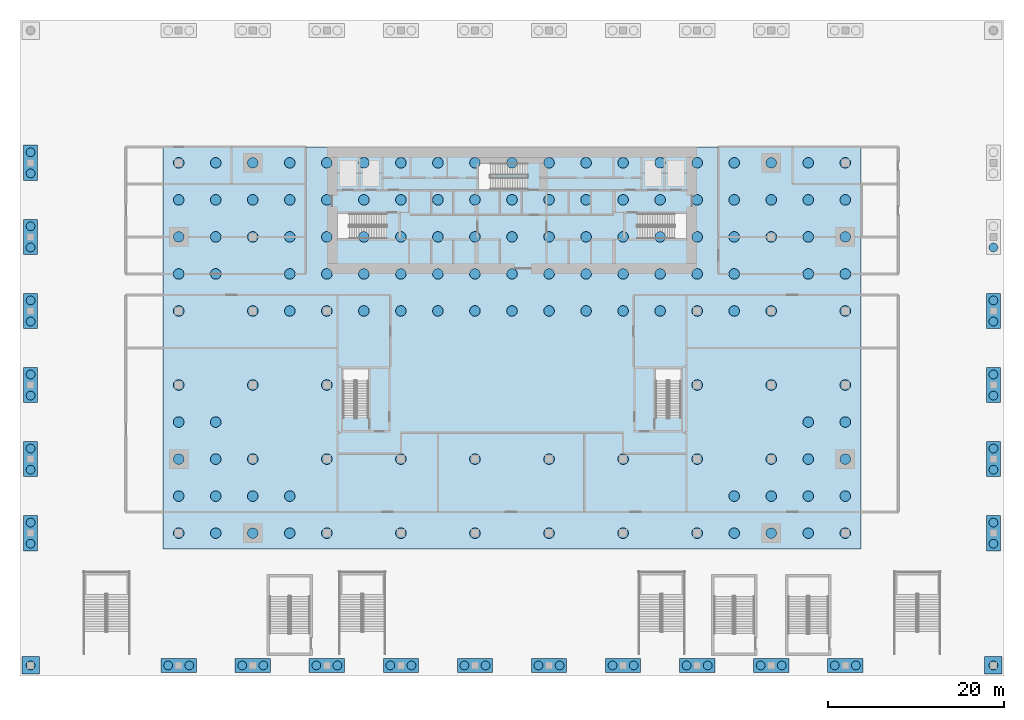
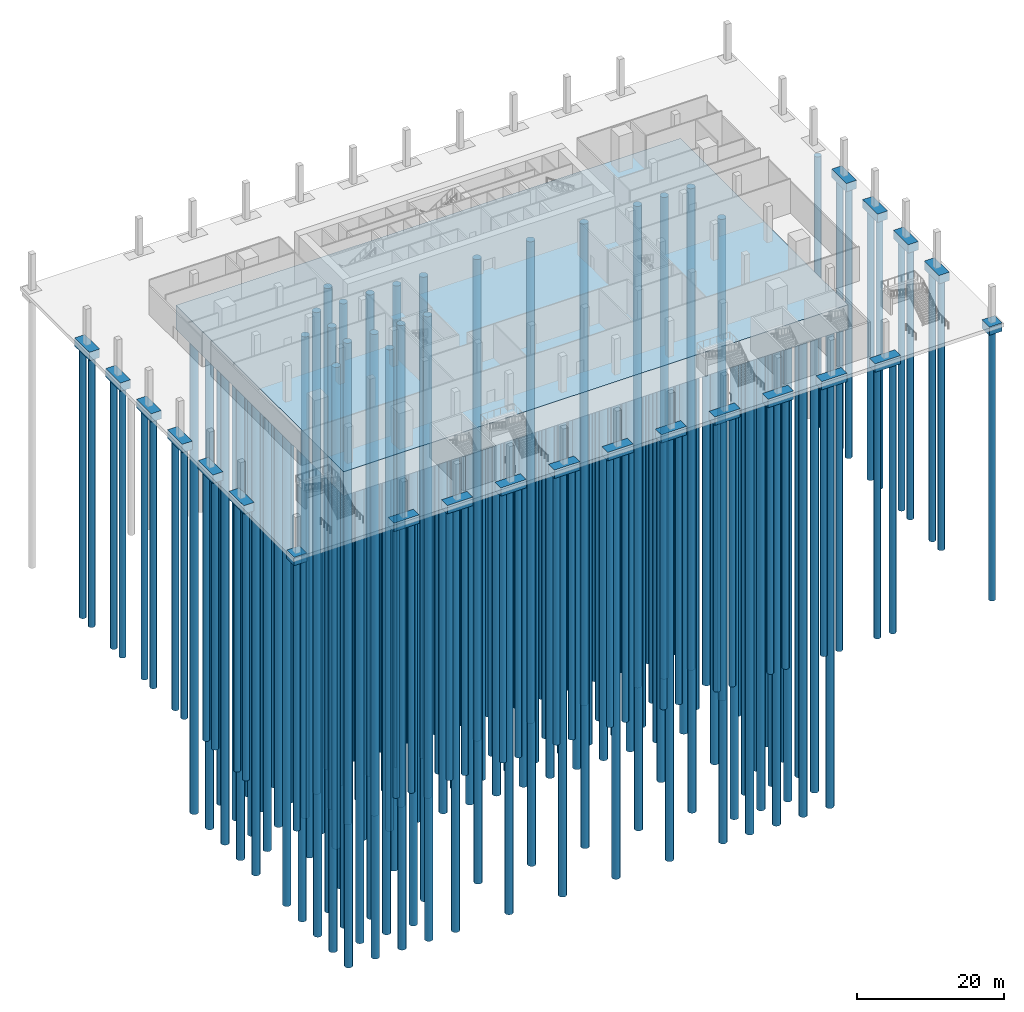
# One storey, part 1 of 16: 178 piles, 23 footings.
"""IFC4 building model written with IfcOpenShell, lengths in metres."""

from ifc_helpers import new_model, si_unit, direction, frame, origin, origin_2d, place, context, subcontext, project, spatial, polyline, circle, outline, extrude, material, material_profile, profile_set, type_object, element, save


model = new_model("IFC4")

# Units and contexts
model_context = context("Model", 3, precision=1e-05, world=origin(), true_north=direction((0.0, 1.0)))
body_context = subcontext(model_context, "Body", "Model", "MODEL_VIEW")
ifc_project = project(units=[si_unit("LENGTHUNIT", "METRE"), si_unit("AREAUNIT", "SQUARE_METRE"), si_unit("VOLUMEUNIT", "CUBIC_METRE"), si_unit("PLANEANGLEUNIT", "RADIAN"), si_unit("MASSUNIT", "GRAM", prefix="KILO")], contexts=[model_context])

# Site, building, storey
site_placement = place(None, origin())
site = spatial("IfcSite", under=ifc_project, at=site_placement, CompositionType="ELEMENT")
building_placement = place(site_placement, origin())
building = spatial("IfcBuilding", under=site, at=building_placement, Name="Saffron Gate Tower", CompositionType="ELEMENT")
storey_placement = place(building_placement, frame((0.0, 0.0, -6.0)))
storey = spatial("IfcBuildingStorey", under=building, at=storey_placement, Name="B1", CompositionType="ELEMENT", Elevation=-6.0)

# Piles
ifc_material = material(Name="Concrete C40", Category="concrete")
ifc_material_profile_1 = material_profile(ifc_material, circle(Radius=0.60009765625, at=origin_2d()))
ifc_profile_set_1 = profile_set([ifc_material_profile_1], Name="Concrete C40")
pile_type_1 = type_object("IfcPileType", Name="P1 BORED PILE D1200 CONCRETE C40", PredefinedType="BORED", material=ifc_profile_set_1)
for number, where, z_axis, x_axis, name in (
    (1, (49.800048828125, 31.800048828125, -3.699951171875), (0.0, 0.0, -1.0), (1.0, 0.0, 0.0), "P1 BORED PILE"),
    (2, (54.0, 31.800048828125, -3.699951171875), (0.0, 0.0, -1.0), (1.0, 0.0, 0.0), "P1 BORED PILE"),
    (3, (58.199951171875, 31.800048828125, -3.699951171875), (0.0, 0.0, -1.0), (1.0, 0.0, 0.0), "P1 BORED PILE"),
    (4, (62.39990234375, 31.800048828125, -3.699951171875), (0.0, 0.0, -1.0), (1.0, 0.0, 0.0), "P1 BORED PILE"),
    (5, (66.60009765625, 31.800048828125, -3.699951171875), (0.0, 0.0, -1.0), (1.0, 0.0, 0.0), "P1 BORED PILE"),
    (6, (75.0, 31.800048828125, -3.699951171875), (0.0, 0.0, -1.0), (1.0, 0.0, 0.0), "P1 BORED PILE"),
    (7, (83.39990234375, 31.800048828125, -3.699951171875), (0.0, 0.0, -1.0), (1.0, 0.0, 0.0), "P1 BORED PILE"),
    (8, (91.800048828125, 31.800048828125, -3.699951171875), (0.0, 0.0, -1.0), (1.0, 0.0, 0.0), "P1 BORED PILE"),
    (9, (100.199951171875, 31.800048828125, -3.699951171875), (0.0, 0.0, -1.0), (1.0, 0.0, 0.0), "P1 BORED PILE"),
    (10, (108.60009765625, 31.800048828125, -3.699951171875), (0.0, 0.0, -1.0), (1.0, 0.0, 0.0), "P1 BORED PILE"),
    (11, (112.800048828125, 31.800048828125, -3.699951171875), (0.0, 0.0, -1.0), (1.0, 0.0, 0.0), "P1 BORED PILE"),
    (12, (117.0, 31.800048828125, -3.699951171875), (0.0, 0.0, -1.0), (1.0, 0.0, 0.0), "P1 BORED PILE"),
    (13, (121.199951171875, 31.800048828125, -3.699951171875), (0.0, 0.0, -1.0), (1.0, 0.0, 0.0), "P1 BORED PILE"),
    (14, (125.39990234375, 31.800048828125, -3.699951171875), (0.0, 0.0, -1.0), (1.0, 0.0, 0.0), "P1 BORED PILE"),
    (15, (49.800048828125, 36.0, -3.699951171875), (0.0, 0.0, -1.0), (1.0, 0.0, 0.0), "P1 BORED PILE"),
    (16, (54.0, 36.0, -3.699951171875), (0.0, 0.0, -1.0), (1.0, 0.0, 0.0), "P1 BORED PILE"),
    (17, (58.199951171875, 36.0, -3.699951171875), (0.0, 0.0, -1.0), (1.0, 0.0, 0.0), "P1 BORED PILE"),
    (18, (62.39990234375, 36.0, -3.699951171875), (0.0, 0.0, -1.0), (1.0, 0.0, 0.0), "P1 BORED PILE"),
    (19, (112.800048828125, 36.0, -3.699951171875), (0.0, 0.0, -1.0), (1.0, 0.0, 0.0), "P1 BORED PILE"),
    (20, (117.0, 36.0, -3.699951171875), (0.0, 0.0, -1.0), (1.0, 0.0, 0.0), "P1 BORED PILE"),
    (21, (121.199951171875, 36.0, -3.699951171875), (0.0, 0.0, -1.0), (1.0, 0.0, 0.0), "P1 BORED PILE"),
    (22, (125.39990234375, 36.0, -3.699951171875), (0.0, 0.0, -1.0), (1.0, 0.0, 0.0), "P1 BORED PILE"),
    (23, (49.800048828125, 40.199951171875, -3.699951171875), (0.0, 0.0, -1.0), (1.0, 0.0, 0.0), "P1 BORED PILE"),
    (24, (54.0, 40.199951171875, -3.699951171875), (0.0, 0.0, -1.0), (1.0, 0.0, 0.0), "P1 BORED PILE"),
    (25, (58.199951171875, 40.199951171875, -3.699951171875), (0.0, 0.0, -1.0), (1.0, 0.0, 0.0), "P1 BORED PILE"),
    (26, (66.60009765625, 40.199951171875, -3.699951171875), (0.0, 0.0, -1.0), (1.0, 0.0, 0.0), "P1 BORED PILE"),
    (27, (75.0, 40.199951171875, -3.699951171875), (0.0, 0.0, -1.0), (1.0, 0.0, 0.0), "P1 BORED PILE"),
    (28, (83.39990234375, 40.199951171875, -3.699951171875), (0.0, 0.0, -1.0), (1.0, 0.0, 0.0), "P1 BORED PILE"),
    (29, (91.800048828125, 40.199951171875, -3.699951171875), (0.0, 0.0, -1.0), (1.0, 0.0, 0.0), "P1 BORED PILE"),
    (30, (100.199951171875, 40.199951171875, -3.699951171875), (0.0, 0.0, -1.0), (1.0, 0.0, 0.0), "P1 BORED PILE"),
    (31, (108.60009765625, 40.199951171875, -3.699951171875), (0.0, 0.0, -1.0), (1.0, 0.0, 0.0), "P1 BORED PILE"),
    (32, (117.0, 40.199951171875, -3.699951171875), (0.0, 0.0, -1.0), (1.0, 0.0, 0.0), "P1 BORED PILE"),
    (33, (121.199951171875, 40.199951171875, -3.699951171875), (0.0, 0.0, -1.0), (1.0, 0.0, 0.0), "P1 BORED PILE"),
    (34, (125.39990234375, 40.199951171875, -3.699951171875), (0.0, 0.0, -1.0), (1.0, 0.0, 0.0), "P1 BORED PILE"),
    (35, (49.800048828125, 44.39990234375, -3.699951171875), (0.0, 0.0, -1.0), (1.0, 0.0, 0.0), "P1 BORED PILE"),
    (36, (54.0, 44.39990234375, -3.699951171875), (0.0, 0.0, -1.0), (1.0, 0.0, 0.0), "P1 BORED PILE"),
    (37, (121.199951171875, 44.39990234375, -3.699951171875), (0.0, 0.0, -1.0), (1.0, 0.0, 0.0), "P1 BORED PILE"),
    (38, (125.39990234375, 44.39990234375, -3.699951171875), (0.0, 0.0, -1.0), (1.0, 0.0, 0.0), "P1 BORED PILE"),
    (39, (49.800048828125, 48.60009765625, -3.699951171875), (0.0, 0.0, -1.0), (1.0, 0.0, 0.0), "P1 BORED PILE"),
    (40, (58.199951171875, 48.60009765625, -3.699951171875), (0.0, 0.0, -1.0), (1.0, 0.0, 0.0), "P1 BORED PILE"),
    (41, (66.60009765625, 48.60009765625, -3.699951171875), (0.0, 0.0, -1.0), (1.0, 0.0, 0.0), "P1 BORED PILE"),
    (42, (108.60009765625, 48.60009765625, -3.699951171875), (0.0, 0.0, -1.0), (1.0, 0.0, 0.0), "P1 BORED PILE"),
    (43, (117.0, 48.60009765625, -3.699951171875), (0.0, 0.0, -1.0), (1.0, 0.0, 0.0), "P1 BORED PILE"),
    (44, (125.39990234375, 48.60009765625, -3.699951171875), (0.0, 0.0, -1.0), (1.0, 0.0, 0.0), "P1 BORED PILE"),
    (45, (49.800048828125, 57.0, -3.699951171875), (0.0, 0.0, -1.0), (1.0, 0.0, 0.0), "P1 BORED PILE"),
    (46, (58.199951171875, 57.0, -3.699951171875), (0.0, 0.0, -1.0), (1.0, 0.0, 0.0), "P1 BORED PILE"),
    (47, (62.39990234375, 57.0, -3.699951171875), (0.0, 0.0, -1.0), (1.0, 0.0, 0.0), "P1 BORED PILE"),
    (48, (66.60009765625, 57.0, -3.699951171875), (0.0, 0.0, -1.0), (1.0, 0.0, 0.0), "P1 BORED PILE"),
    (49, (70.800048828125, 57.0, -3.699951171875), (0.0, 0.0, -1.0), (1.0, 0.0, 0.0), "P1 BORED PILE"),
    (50, (75.0, 57.0, -3.699951171875), (0.0, 0.0, -1.0), (1.0, 0.0, 0.0), "P1 BORED PILE"),
    (51, (79.199951171875, 57.0, -3.699951171875), (0.0, 0.0, -1.0), (1.0, 0.0, 0.0), "P1 BORED PILE"),
    (52, (83.39990234375, 57.0, -3.699951171875), (0.0, 0.0, -1.0), (1.0, 0.0, 0.0), "P1 BORED PILE"),
    (53, (87.60009765625, 57.0, -3.699951171875), (0.0, 0.0, -1.0), (1.0, 0.0, 0.0), "P1 BORED PILE"),
    (54, (91.800048828125, 57.0, -3.699951171875), (0.0, 0.0, -1.0), (1.0, 0.0, 0.0), "P1 BORED PILE"),
    (55, (96.0, 57.0, -3.699951171875), (0.0, 0.0, -1.0), (1.0, 0.0, 0.0), "P1 BORED PILE"),
    (56, (100.199951171875, 57.0, -3.699951171875), (0.0, 0.0, -1.0), (1.0, 0.0, 0.0), "P1 BORED PILE"),
    (57, (104.39990234375, 57.0, -3.699951171875), (0.0, 0.0, -1.0), (1.0, 0.0, 0.0), "P1 BORED PILE"),
    (58, (108.60009765625, 57.0, -3.699951171875), (0.0, 0.0, -1.0), (1.0, 0.0, 0.0), "P1 BORED PILE"),
    (59, (112.800048828125, 57.0, -3.699951171875), (0.0, 0.0, -1.0), (1.0, 0.0, 0.0), "P1 BORED PILE"),
    (60, (117.0, 57.0, -3.699951171875), (0.0, 0.0, -1.0), (1.0, 0.0, 0.0), "P1 BORED PILE"),
    (61, (125.39990234375, 57.0, -3.699951171875), (0.0, 0.0, -1.0), (1.0, 0.0, 0.0), "P1 BORED PILE"),
    (62, (49.800048828125, 61.199951171875, -3.699951171875), (0.0, 0.0, -1.0), (1.0, 0.0, 0.0), "P1 BORED PILE"),
    (63, (54.0, 61.199951171875, -3.699951171875), (0.0, 0.0, -1.0), (1.0, 0.0, 0.0), "P1 BORED PILE"),
    (64, (62.39990234375, 61.199951171875, -3.699951171875), (0.0, 0.0, -1.0), (1.0, 0.0, 0.0), "P1 BORED PILE"),
    (65, (66.60009765625, 61.199951171875, -3.699951171875), (0.0, 0.0, -1.0), (1.0, 0.0, 0.0), "P1 BORED PILE"),
    (66, (70.800048828125, 61.199951171875, -3.699951171875), (0.0, 0.0, -1.0), (1.0, 0.0, 0.0), "P1 BORED PILE"),
    (67, (75.0, 61.199951171875, -3.699951171875), (0.0, 0.0, -1.0), (1.0, 0.0, 0.0), "P1 BORED PILE"),
    (68, (79.199951171875, 61.199951171875, -3.699951171875), (0.0, 0.0, -1.0), (1.0, 0.0, 0.0), "P1 BORED PILE"),
    (69, (83.39990234375, 61.199951171875, -3.699951171875), (0.0, 0.0, -1.0), (1.0, 0.0, 0.0), "P1 BORED PILE"),
    (70, (87.60009765625, 61.199951171875, -3.699951171875), (0.0, 0.0, -1.0), (1.0, 0.0, 0.0), "P1 BORED PILE"),
    (71, (91.800048828125, 61.199951171875, -3.699951171875), (0.0, 0.0, -1.0), (1.0, 0.0, 0.0), "P1 BORED PILE"),
    (72, (96.0, 61.199951171875, -3.699951171875), (0.0, 0.0, -1.0), (1.0, 0.0, 0.0), "P1 BORED PILE"),
    (73, (100.199951171875, 61.199951171875, -3.699951171875), (0.0, 0.0, -1.0), (1.0, 0.0, 0.0), "P1 BORED PILE"),
    (74, (104.39990234375, 61.199951171875, -3.699951171875), (0.0, 0.0, -1.0), (1.0, 0.0, 0.0), "P1 BORED PILE"),
    (75, (108.60009765625, 61.199951171875, -3.699951171875), (0.0, 0.0, -1.0), (1.0, 0.0, 0.0), "P1 BORED PILE"),
    (76, (112.800048828125, 61.199951171875, -3.699951171875), (0.0, 0.0, -1.0), (1.0, 0.0, 0.0), "P1 BORED PILE"),
    (77, (121.199951171875, 61.199951171875, -3.699951171875), (0.0, 0.0, -1.0), (1.0, 0.0, 0.0), "P1 BORED PILE"),
    (78, (125.39990234375, 61.199951171875, -3.699951171875), (0.0, 0.0, -1.0), (1.0, 0.0, 0.0), "P1 BORED PILE"),
    (79, (49.800048828125, 65.39990234375, -3.699951171875), (0.0, 0.0, -1.0), (1.0, 0.0, 0.0), "P1 BORED PILE"),
    (80, (54.0, 65.39990234375, -3.699951171875), (0.0, 0.0, -1.0), (1.0, 0.0, 0.0), "P1 BORED PILE"),
    (81, (58.199951171875, 65.39990234375, -3.699951171875), (0.0, 0.0, -1.0), (1.0, 0.0, 0.0), "P1 BORED PILE"),
    (82, (62.39990234375, 65.39990234375, -3.699951171875), (0.0, 0.0, -1.0), (1.0, 0.0, 0.0), "P1 BORED PILE"),
    (83, (66.60009765625, 65.39990234375, -3.699951171875), (0.0, 0.0, -1.0), (1.0, 0.0, 0.0), "P1 BORED PILE"),
    (84, (70.800048828125, 65.39990234375, -3.699951171875), (0.0, 0.0, -1.0), (1.0, 0.0, 0.0), "P1 BORED PILE"),
    (85, (75.0, 65.39990234375, -3.699951171875), (0.0, 0.0, -1.0), (1.0, 0.0, 0.0), "P1 BORED PILE"),
    (86, (79.199951171875, 65.39990234375, -3.699951171875), (0.0, 0.0, -1.0), (1.0, 0.0, 0.0), "P1 BORED PILE"),
    (87, (83.39990234375, 65.39990234375, -3.699951171875), (0.0, 0.0, -1.0), (1.0, 0.0, 0.0), "P1 BORED PILE"),
    (88, (87.60009765625, 65.39990234375, -3.699951171875), (0.0, 0.0, -1.0), (1.0, 0.0, 0.0), "P1 BORED PILE"),
    (89, (91.800048828125, 65.39990234375, -3.699951171875), (0.0, 0.0, -1.0), (1.0, 0.0, 0.0), "P1 BORED PILE"),
    (90, (96.0, 65.39990234375, -3.699951171875), (0.0, 0.0, -1.0), (1.0, 0.0, 0.0), "P1 BORED PILE"),
    (91, (100.199951171875, 65.39990234375, -3.699951171875), (0.0, 0.0, -1.0), (1.0, 0.0, 0.0), "P1 BORED PILE"),
    (92, (104.39990234375, 65.39990234375, -3.699951171875), (0.0, 0.0, -1.0), (1.0, 0.0, 0.0), "P1 BORED PILE"),
    (93, (108.60009765625, 65.39990234375, -3.699951171875), (0.0, 0.0, -1.0), (1.0, 0.0, 0.0), "P1 BORED PILE"),
    (94, (112.800048828125, 65.39990234375, -3.699951171875), (0.0, 0.0, -1.0), (1.0, 0.0, 0.0), "P1 BORED PILE"),
    (95, (117.0, 65.39990234375, -3.699951171875), (0.0, 0.0, -1.0), (1.0, 0.0, 0.0), "P1 BORED PILE"),
    (96, (121.199951171875, 65.39990234375, -3.699951171875), (0.0, 0.0, -1.0), (1.0, 0.0, 0.0), "P1 BORED PILE"),
    (97, (125.39990234375, 65.39990234375, -3.699951171875), (0.0, 0.0, -1.0), (1.0, 0.0, 0.0), "P1 BORED PILE"),
    (98, (49.800048828125, 69.60009765625, -3.699951171875), (0.0, 0.0, -1.0), (1.0, 0.0, 0.0), "P1 BORED PILE"),
    (99, (54.0, 69.60009765625, -3.699951171875), (0.0, 0.0, -1.0), (1.0, 0.0, 0.0), "P1 BORED PILE"),
    (100, (58.199951171875, 69.60009765625, -3.699951171875), (0.0, 0.0, -1.0), (1.0, 0.0, 0.0), "P1 BORED PILE"),
    (101, (62.39990234375, 69.60009765625, -3.699951171875), (0.0, 0.0, -1.0), (1.0, 0.0, 0.0), "P1 BORED PILE"),
    (102, (66.60009765625, 69.60009765625, -3.699951171875), (0.0, 0.0, -1.0), (1.0, 0.0, 0.0), "P1 BORED PILE"),
    (103, (70.800048828125, 69.60009765625, -3.699951171875), (0.0, 0.0, -1.0), (1.0, 0.0, 0.0), "P1 BORED PILE"),
    (104, (75.0, 69.60009765625, -3.699951171875), (0.0, 0.0, -1.0), (1.0, 0.0, 0.0), "P1 BORED PILE"),
    (105, (79.199951171875, 69.60009765625, -3.699951171875), (0.0, 0.0, -1.0), (1.0, 0.0, 0.0), "P1 BORED PILE"),
    (106, (83.39990234375, 69.60009765625, -3.699951171875), (0.0, 0.0, -1.0), (1.0, 0.0, 0.0), "P1 BORED PILE"),
    (107, (87.60009765625, 69.60009765625, -3.699951171875), (0.0, 0.0, -1.0), (1.0, 0.0, 0.0), "P1 BORED PILE"),
    (108, (91.800048828125, 69.60009765625, -3.699951171875), (0.0, 0.0, -1.0), (1.0, 0.0, 0.0), "P1 BORED PILE"),
    (109, (96.0, 69.60009765625, -3.699951171875), (0.0, 0.0, -1.0), (1.0, 0.0, 0.0), "P1 BORED PILE"),
    (110, (100.199951171875, 69.60009765625, -3.699951171875), (0.0, 0.0, -1.0), (1.0, 0.0, 0.0), "P1 BORED PILE"),
    (111, (104.39990234375, 69.60009765625, -3.699951171875), (0.0, 0.0, -1.0), (1.0, 0.0, 0.0), "P1 BORED PILE"),
    (112, (108.60009765625, 69.60009765625, -3.699951171875), (0.0, 0.0, -1.0), (1.0, 0.0, 0.0), "P1 BORED PILE"),
    (113, (112.800048828125, 69.60009765625, -3.699951171875), (0.0, 0.0, -1.0), (1.0, 0.0, 0.0), "P1 BORED PILE"),
    (114, (117.0, 69.60009765625, -3.699951171875), (0.0, 0.0, -1.0), (1.0, 0.0, 0.0), "P1 BORED PILE"),
    (115, (121.199951171875, 69.60009765625, -3.699951171875), (0.0, 0.0, -1.0), (1.0, 0.0, 0.0), "P1 BORED PILE"),
    (116, (125.39990234375, 69.60009765625, -3.699951171875), (0.0, 0.0, -1.0), (1.0, 0.0, 0.0), "P1 BORED PILE"),
    (117, (49.800048828125, 73.800048828125, -3.699951171875), (0.0, 0.0, -1.0), (1.0, 0.0, 0.0), "P1 BORED PILE"),
    (118, (54.0, 73.800048828125, -3.699951171875), (0.0, 0.0, -1.0), (1.0, 0.0, 0.0), "P1 BORED PILE"),
    (119, (58.199951171875, 73.800048828125, -3.699951171875), (0.0, 0.0, -1.0), (1.0, 0.0, 0.0), "P1 BORED PILE"),
    (120, (62.39990234375, 73.800048828125, -3.699951171875), (0.0, 0.0, -1.0), (1.0, 0.0, 0.0), "P1 BORED PILE"),
    (121, (66.60009765625, 73.800048828125, -3.699951171875), (0.0, 0.0, -1.0), (1.0, 0.0, 0.0), "P1 BORED PILE"),
    (122, (70.800048828125, 73.800048828125, -3.699951171875), (0.0, 0.0, -1.0), (1.0, 0.0, 0.0), "P1 BORED PILE"),
    (123, (75.0, 73.800048828125, -3.699951171875), (0.0, 0.0, -1.0), (1.0, 0.0, 0.0), "P1 BORED PILE"),
    (124, (79.199951171875, 73.800048828125, -3.699951171875), (0.0, 0.0, -1.0), (1.0, 0.0, 0.0), "P1 BORED PILE"),
    (125, (83.39990234375, 73.800048828125, -3.699951171875), (0.0, 0.0, -1.0), (1.0, 0.0, 0.0), "P1 BORED PILE"),
    (126, (87.60009765625, 73.800048828125, -3.699951171875), (0.0, 0.0, -1.0), (1.0, 0.0, 0.0), "P1 BORED PILE"),
    (127, (91.800048828125, 73.800048828125, -3.699951171875), (0.0, 0.0, -1.0), (1.0, 0.0, 0.0), "P1 BORED PILE"),
    (128, (96.0, 73.800048828125, -3.699951171875), (0.0, 0.0, -1.0), (1.0, 0.0, 0.0), "P1 BORED PILE"),
    (129, (100.199951171875, 73.800048828125, -3.699951171875), (0.0, 0.0, -1.0), (1.0, 0.0, 0.0), "P1 BORED PILE"),
    (130, (104.39990234375, 73.800048828125, -3.699951171875), (0.0, 0.0, -1.0), (1.0, 0.0, 0.0), "P1 BORED PILE"),
    (131, (108.60009765625, 73.800048828125, -3.699951171875), (0.0, 0.0, -1.0), (1.0, 0.0, 0.0), "P1 BORED PILE"),
    (132, (112.800048828125, 73.800048828125, -3.699951171875), (0.0, 0.0, -1.0), (1.0, 0.0, 0.0), "P1 BORED PILE"),
    (133, (117.0, 73.800048828125, -3.699951171875), (0.0, 0.0, -1.0), (1.0, 0.0, 0.0), "P1 BORED PILE"),
    (134, (121.199951171875, 73.800048828125, -3.699951171875), (0.0, 0.0, -1.0), (1.0, 0.0, 0.0), "P1 BORED PILE"),
    (135, (125.39990234375, 73.800048828125, -3.699951171875), (0.0, 0.0, -1.0), (1.0, 0.0, 0.0), "P1 BORED PILE"),
):
    element("IfcPile", number, at=place(storey_placement, frame(where, z_axis=z_axis, x_axis=x_axis)), inside=storey, type_object=pile_type_1, Name=name, PredefinedType="BORED", context=body_context, shape_type="SweptSolid", body=[
        extrude(circle(Radius=0.60009765625, at=origin_2d()), origin(), (0.0, 0.0, 1.0), 80.0),
    ])
ifc_material_profile_2 = material_profile(ifc_material, circle(Radius=0.5, at=origin_2d()))
ifc_profile_set_2 = profile_set([ifc_material_profile_2], Name="Concrete C40")
pile_type_2 = type_object("IfcPileType", Name="P2 BORED PILE D1000 CONCRETE C40", PredefinedType="BORED", material=ifc_profile_set_2)
for number, where, z_axis, x_axis, name in (
    (136, (33.0, 16.800048828125, -1.10009765625), (0.0, 0.0, -1.0), (1.0, 0.0, 0.0), "P2 BORED PILE"),
    (137, (48.60009765625, 16.800048828125, -1.10009765625), (0.0, 0.0, -1.0), (1.0, 0.0, 0.0), "P2 BORED PILE"),
    (138, (51.0, 16.800048828125, -1.10009765625), (0.0, 0.0, -1.0), (1.0, 0.0, 0.0), "P2 BORED PILE"),
    (139, (57.0, 16.800048828125, -1.10009765625), (0.0, 0.0, -1.0), (1.0, 0.0, 0.0), "P2 BORED PILE"),
    (140, (59.39990234375, 16.800048828125, -1.10009765625), (0.0, 0.0, -1.0), (1.0, 0.0, 0.0), "P2 BORED PILE"),
    (141, (65.39990234375, 16.800048828125, -1.10009765625), (0.0, 0.0, -1.0), (1.0, 0.0, 0.0), "P2 BORED PILE"),
    (142, (67.800048828125, 16.800048828125, -1.10009765625), (0.0, 0.0, -1.0), (1.0, 0.0, 0.0), "P2 BORED PILE"),
    (143, (73.800048828125, 16.800048828125, -1.10009765625), (0.0, 0.0, -1.0), (1.0, 0.0, 0.0), "P2 BORED PILE"),
    (144, (76.199951171875, 16.800048828125, -1.10009765625), (0.0, 0.0, -1.0), (1.0, 0.0, 0.0), "P2 BORED PILE"),
    (145, (82.199951171875, 16.800048828125, -1.10009765625), (0.0, 0.0, -1.0), (1.0, 0.0, 0.0), "P2 BORED PILE"),
    (146, (84.60009765625, 16.800048828125, -1.10009765625), (0.0, 0.0, -1.0), (1.0, 0.0, 0.0), "P2 BORED PILE"),
    (147, (90.60009765625, 16.800048828125, -1.10009765625), (0.0, 0.0, -1.0), (1.0, 0.0, 0.0), "P2 BORED PILE"),
    (148, (93.0, 16.800048828125, -1.10009765625), (0.0, 0.0, -1.0), (1.0, 0.0, 0.0), "P2 BORED PILE"),
    (149, (99.0, 16.800048828125, -1.10009765625), (0.0, 0.0, -1.0), (1.0, 0.0, 0.0), "P2 BORED PILE"),
    (150, (101.39990234375, 16.800048828125, -1.10009765625), (0.0, 0.0, -1.0), (1.0, 0.0, 0.0), "P2 BORED PILE"),
    (151, (107.39990234375, 16.800048828125, -1.10009765625), (0.0, 0.0, -1.0), (1.0, 0.0, 0.0), "P2 BORED PILE"),
    (152, (109.800048828125, 16.800048828125, -1.10009765625), (0.0, 0.0, -1.0), (1.0, 0.0, 0.0), "P2 BORED PILE"),
    (153, (115.800048828125, 16.800048828125, -1.10009765625), (0.0, 0.0, -1.0), (1.0, 0.0, 0.0), "P2 BORED PILE"),
    (154, (118.199951171875, 16.800048828125, -1.10009765625), (0.0, 0.0, -1.0), (1.0, 0.0, 0.0), "P2 BORED PILE"),
    (155, (124.199951171875, 16.800048828125, -1.10009765625), (0.0, 0.0, -1.0), (1.0, 0.0, 0.0), "P2 BORED PILE"),
    (156, (126.60009765625, 16.800048828125, -1.10009765625), (0.0, 0.0, -1.0), (1.0, 0.0, 0.0), "P2 BORED PILE"),
    (157, (142.199951171875, 16.800048828125, -1.10009765625), (0.0, 0.0, -1.0), (1.0, 0.0, 0.0), "P2 BORED PILE"),
    (158, (33.0, 30.60009765625, -1.10009765625), (0.0, 0.0, -1.0), (1.0, 0.0, 0.0), "P2 BORED PILE"),
    (159, (33.0, 33.0, -1.10009765625), (0.0, 0.0, -1.0), (1.0, 0.0, 0.0), "P2 BORED PILE"),
    (160, (142.199951171875, 30.60009765625, -1.10009765625), (0.0, 0.0, -1.0), (1.0, 0.0, 0.0), "P2 BORED PILE"),
    (161, (142.199951171875, 33.0, -1.10009765625), (0.0, 0.0, -1.0), (1.0, 0.0, 0.0), "P2 BORED PILE"),
    (162, (33.0, 39.0, -1.10009765625), (0.0, 0.0, -1.0), (1.0, 0.0, 0.0), "P2 BORED PILE"),
    (163, (33.0, 41.39990234375, -1.10009765625), (0.0, 0.0, -1.0), (1.0, 0.0, 0.0), "P2 BORED PILE"),
    (164, (142.199951171875, 39.0, -1.10009765625), (0.0, 0.0, -1.0), (1.0, 0.0, 0.0), "P2 BORED PILE"),
    (165, (142.199951171875, 41.39990234375, -1.10009765625), (0.0, 0.0, -1.0), (1.0, 0.0, 0.0), "P2 BORED PILE"),
    (166, (33.0, 47.39990234375, -1.10009765625), (0.0, 0.0, -1.0), (1.0, 0.0, 0.0), "P2 BORED PILE"),
    (167, (33.0, 49.800048828125, -1.10009765625), (0.0, 0.0, -1.0), (1.0, 0.0, 0.0), "P2 BORED PILE"),
    (168, (142.199951171875, 47.39990234375, -1.10009765625), (0.0, 0.0, -1.0), (1.0, 0.0, 0.0), "P2 BORED PILE"),
    (169, (142.199951171875, 49.800048828125, -1.10009765625), (0.0, 0.0, -1.0), (1.0, 0.0, 0.0), "P2 BORED PILE"),
    (170, (33.0, 55.800048828125, -1.10009765625), (0.0, 0.0, -1.0), (1.0, 0.0, 0.0), "P2 BORED PILE"),
    (171, (33.0, 58.199951171875, -1.10009765625), (0.0, 0.0, -1.0), (1.0, 0.0, 0.0), "P2 BORED PILE"),
    (172, (142.199951171875, 55.800048828125, -1.10009765625), (0.0, 0.0, -1.0), (1.0, 0.0, 0.0), "P2 BORED PILE"),
    (173, (142.199951171875, 58.199951171875, -1.10009765625), (0.0, 0.0, -1.0), (1.0, 0.0, 0.0), "P2 BORED PILE"),
    (174, (33.0, 64.199951171875, -1.10009765625), (0.0, 0.0, -1.0), (1.0, 0.0, 0.0), "P2 BORED PILE"),
    (175, (33.0, 66.60009765625, -1.10009765625), (0.0, 0.0, -1.0), (1.0, 0.0, 0.0), "P2 BORED PILE"),
    (176, (142.199951171875, 64.199951171875, -1.10009765625), (0.0, 0.0, -1.0), (1.0, 0.0, 0.0), "P2 BORED PILE"),
    (177, (33.0, 72.60009765625, -1.10009765625), (0.0, 0.0, -1.0), (1.0, 0.0, 0.0), "P2 BORED PILE"),
    (178, (33.0, 75.0, -1.10009765625), (0.0, 0.0, -1.0), (1.0, 0.0, 0.0), "P2 BORED PILE"),
):
    element("IfcPile", number, at=place(storey_placement, frame(where, z_axis=z_axis, x_axis=x_axis)), inside=storey, type_object=pile_type_2, Name=name, PredefinedType="BORED", context=body_context, shape_type="SweptSolid", body=[
        extrude(circle(Radius=0.5, at=origin_2d()), origin(), (0.0, 0.0, 1.0), 45.0),
    ])

# Footings
footing_type_1 = type_object("IfcFootingType", Name="PC1 PILE CAP 2000x2000x1400 CONCRETE C40", PredefinedType="PILE_CAP", material=ifc_material)
footing_1_placement = place(storey_placement, frame((0.0, 0.0, -1.39990234375)))
element("IfcFooting", 179, at=footing_1_placement, inside=storey, type_object=footing_type_1, Name="PC1 PILE CAP RS01", PredefinedType="PILE_CAP", context=body_context, shape_type="SweptSolid", body=[
    extrude(outline(polyline([(32.0, 15.800048828125), (34.0, 15.800048828125), (34.0, 17.800048828125), (32.0, 17.800048828125), (32.0, 15.800048828125)])), origin(), (0.0, 0.0, 1.0), 1.39990234375),
])
footing_2_placement = place(storey_placement, frame((0.0, 0.0, -1.39990234375)))
element("IfcFooting", 180, at=footing_2_placement, inside=storey, type_object=footing_type_1, Name="PC1 PILE CAP RS12", PredefinedType="PILE_CAP", context=body_context, shape_type="SweptSolid", body=[
    extrude(outline(polyline([(141.199951171875, 15.800048828125), (143.199951171875, 15.800048828125), (143.199951171875, 17.800048828125), (141.199951171875, 17.800048828125), (141.199951171875, 15.800048828125)])), origin(), (0.0, 0.0, 1.0), 1.39990234375),
])
footing_type_2 = type_object("IfcFootingType", Name="PC2 PILE CAP 4000x1600x1400 CONCRETE C40", PredefinedType="PILE_CAP", material=ifc_material)
footing_3_placement = place(storey_placement, frame((0.0, 0.0, -1.39990234375)))
element("IfcFooting", 181, at=footing_3_placement, inside=storey, type_object=footing_type_2, Name="PC2 PILE CAP RS02", PredefinedType="PILE_CAP", context=body_context, shape_type="SweptSolid", body=[
    extrude(outline(polyline([(47.800048828125, 16.0), (51.800048828125, 16.0), (51.800048828125, 17.60009765625), (47.800048828125, 17.60009765625), (47.800048828125, 16.0)])), origin(), (0.0, 0.0, 1.0), 1.39990234375),
])
footing_4_placement = place(storey_placement, frame((0.0, 0.0, -1.39990234375)))
element("IfcFooting", 182, at=footing_4_placement, inside=storey, type_object=footing_type_2, Name="PC2 PILE CAP RS03", PredefinedType="PILE_CAP", context=body_context, shape_type="SweptSolid", body=[
    extrude(outline(polyline([(56.199951171875, 16.0), (60.199951171875, 16.0), (60.199951171875, 17.60009765625), (56.199951171875, 17.60009765625), (56.199951171875, 16.0)])), origin(), (0.0, 0.0, 1.0), 1.39990234375),
])
footing_5_placement = place(storey_placement, frame((0.0, 0.0, -1.39990234375)))
element("IfcFooting", 183, at=footing_5_placement, inside=storey, type_object=footing_type_2, Name="PC2 PILE CAP RS04", PredefinedType="PILE_CAP", context=body_context, shape_type="SweptSolid", body=[
    extrude(outline(polyline([(64.60009765625, 16.0), (68.60009765625, 16.0), (68.60009765625, 17.60009765625), (64.60009765625, 17.60009765625), (64.60009765625, 16.0)])), origin(), (0.0, 0.0, 1.0), 1.39990234375),
])
footing_6_placement = place(storey_placement, frame((0.0, 0.0, -1.39990234375)))
element("IfcFooting", 184, at=footing_6_placement, inside=storey, type_object=footing_type_2, Name="PC2 PILE CAP RS05", PredefinedType="PILE_CAP", context=body_context, shape_type="SweptSolid", body=[
    extrude(outline(polyline([(73.0, 16.0), (77.0, 16.0), (77.0, 17.60009765625), (73.0, 17.60009765625), (73.0, 16.0)])), origin(), (0.0, 0.0, 1.0), 1.39990234375),
])
footing_7_placement = place(storey_placement, frame((0.0, 0.0, -1.39990234375)))
element("IfcFooting", 185, at=footing_7_placement, inside=storey, type_object=footing_type_2, Name="PC2 PILE CAP RS06", PredefinedType="PILE_CAP", context=body_context, shape_type="SweptSolid", body=[
    extrude(outline(polyline([(81.39990234375, 16.0), (85.39990234375, 16.0), (85.39990234375, 17.60009765625), (81.39990234375, 17.60009765625), (81.39990234375, 16.0)])), origin(), (0.0, 0.0, 1.0), 1.39990234375),
])
footing_8_placement = place(storey_placement, frame((0.0, 0.0, -1.39990234375)))
element("IfcFooting", 186, at=footing_8_placement, inside=storey, type_object=footing_type_2, Name="PC2 PILE CAP RS07", PredefinedType="PILE_CAP", context=body_context, shape_type="SweptSolid", body=[
    extrude(outline(polyline([(89.800048828125, 16.0), (93.800048828125, 16.0), (93.800048828125, 17.60009765625), (89.800048828125, 17.60009765625), (89.800048828125, 16.0)])), origin(), (0.0, 0.0, 1.0), 1.39990234375),
])
footing_9_placement = place(storey_placement, frame((0.0, 0.0, -1.39990234375)))
element("IfcFooting", 187, at=footing_9_placement, inside=storey, type_object=footing_type_2, Name="PC2 PILE CAP RS08", PredefinedType="PILE_CAP", context=body_context, shape_type="SweptSolid", body=[
    extrude(outline(polyline([(98.199951171875, 16.0), (102.199951171875, 16.0), (102.199951171875, 17.60009765625), (98.199951171875, 17.60009765625), (98.199951171875, 16.0)])), origin(), (0.0, 0.0, 1.0), 1.39990234375),
])
footing_10_placement = place(storey_placement, frame((0.0, 0.0, -1.39990234375)))
element("IfcFooting", 188, at=footing_10_placement, inside=storey, type_object=footing_type_2, Name="PC2 PILE CAP RS09", PredefinedType="PILE_CAP", context=body_context, shape_type="SweptSolid", body=[
    extrude(outline(polyline([(106.60009765625, 16.0), (110.60009765625, 16.0), (110.60009765625, 17.60009765625), (106.60009765625, 17.60009765625), (106.60009765625, 16.0)])), origin(), (0.0, 0.0, 1.0), 1.39990234375),
])
footing_11_placement = place(storey_placement, frame((0.0, 0.0, -1.39990234375)))
element("IfcFooting", 189, at=footing_11_placement, inside=storey, type_object=footing_type_2, Name="PC2 PILE CAP RS10", PredefinedType="PILE_CAP", context=body_context, shape_type="SweptSolid", body=[
    extrude(outline(polyline([(115.0, 16.0), (119.0, 16.0), (119.0, 17.60009765625), (115.0, 17.60009765625), (115.0, 16.0)])), origin(), (0.0, 0.0, 1.0), 1.39990234375),
])
footing_12_placement = place(storey_placement, frame((0.0, 0.0, -1.39990234375)))
element("IfcFooting", 190, at=footing_12_placement, inside=storey, type_object=footing_type_2, Name="PC2 PILE CAP RS11", PredefinedType="PILE_CAP", context=body_context, shape_type="SweptSolid", body=[
    extrude(outline(polyline([(123.39990234375, 16.0), (127.39990234375, 16.0), (127.39990234375, 17.60009765625), (123.39990234375, 17.60009765625), (123.39990234375, 16.0)])), origin(), (0.0, 0.0, 1.0), 1.39990234375),
])
footing_13_placement = place(storey_placement, frame((0.0, 0.0, -1.39990234375)))
element("IfcFooting", 191, at=footing_13_placement, inside=storey, type_object=footing_type_2, Name="PC2 PILE CAP RW01", PredefinedType="PILE_CAP", context=body_context, shape_type="SweptSolid", body=[
    extrude(outline(polyline([(32.199951171875, 29.800048828125), (33.800048828125, 29.800048828125), (33.800048828125, 33.800048828125), (32.199951171875, 33.800048828125), (32.199951171875, 29.800048828125)])), origin(), (0.0, 0.0, 1.0), 1.39990234375),
])
footing_14_placement = place(storey_placement, frame((0.0, 0.0, -1.39990234375)))
element("IfcFooting", 192, at=footing_14_placement, inside=storey, type_object=footing_type_2, Name="PC2 PILE CAP RE01", PredefinedType="PILE_CAP", context=body_context, shape_type="SweptSolid", body=[
    extrude(outline(polyline([(141.39990234375, 29.800048828125), (143.0, 29.800048828125), (143.0, 33.800048828125), (141.39990234375, 33.800048828125), (141.39990234375, 29.800048828125)])), origin(), (0.0, 0.0, 1.0), 1.39990234375),
])
footing_15_placement = place(storey_placement, frame((0.0, 0.0, -1.39990234375)))
element("IfcFooting", 193, at=footing_15_placement, inside=storey, type_object=footing_type_2, Name="PC2 PILE CAP RW02", PredefinedType="PILE_CAP", context=body_context, shape_type="SweptSolid", body=[
    extrude(outline(polyline([(32.199951171875, 38.199951171875), (33.800048828125, 38.199951171875), (33.800048828125, 42.199951171875), (32.199951171875, 42.199951171875), (32.199951171875, 38.199951171875)])), origin(), (0.0, 0.0, 1.0), 1.39990234375),
])
footing_16_placement = place(storey_placement, frame((0.0, 0.0, -1.39990234375)))
element("IfcFooting", 194, at=footing_16_placement, inside=storey, type_object=footing_type_2, Name="PC2 PILE CAP RE02", PredefinedType="PILE_CAP", context=body_context, shape_type="SweptSolid", body=[
    extrude(outline(polyline([(141.39990234375, 38.199951171875), (143.0, 38.199951171875), (143.0, 42.199951171875), (141.39990234375, 42.199951171875), (141.39990234375, 38.199951171875)])), origin(), (0.0, 0.0, 1.0), 1.39990234375),
])
footing_17_placement = place(storey_placement, frame((0.0, 0.0, -1.39990234375)))
element("IfcFooting", 195, at=footing_17_placement, inside=storey, type_object=footing_type_2, Name="PC2 PILE CAP RW03", PredefinedType="PILE_CAP", context=body_context, shape_type="SweptSolid", body=[
    extrude(outline(polyline([(32.199951171875, 46.60009765625), (33.800048828125, 46.60009765625), (33.800048828125, 50.60009765625), (32.199951171875, 50.60009765625), (32.199951171875, 46.60009765625)])), origin(), (0.0, 0.0, 1.0), 1.39990234375),
])
footing_18_placement = place(storey_placement, frame((0.0, 0.0, -1.39990234375)))
element("IfcFooting", 196, at=footing_18_placement, inside=storey, type_object=footing_type_2, Name="PC2 PILE CAP RE03", PredefinedType="PILE_CAP", context=body_context, shape_type="SweptSolid", body=[
    extrude(outline(polyline([(141.39990234375, 46.60009765625), (143.0, 46.60009765625), (143.0, 50.60009765625), (141.39990234375, 50.60009765625), (141.39990234375, 46.60009765625)])), origin(), (0.0, 0.0, 1.0), 1.39990234375),
])
footing_19_placement = place(storey_placement, frame((0.0, 0.0, -1.39990234375)))
element("IfcFooting", 197, at=footing_19_placement, inside=storey, type_object=footing_type_2, Name="PC2 PILE CAP RW04", PredefinedType="PILE_CAP", context=body_context, shape_type="SweptSolid", body=[
    extrude(outline(polyline([(32.199951171875, 55.0), (33.800048828125, 55.0), (33.800048828125, 59.0), (32.199951171875, 59.0), (32.199951171875, 55.0)])), origin(), (0.0, 0.0, 1.0), 1.39990234375),
])
footing_20_placement = place(storey_placement, frame((0.0, 0.0, -1.39990234375)))
element("IfcFooting", 198, at=footing_20_placement, inside=storey, type_object=footing_type_2, Name="PC2 PILE CAP RE04", PredefinedType="PILE_CAP", context=body_context, shape_type="SweptSolid", body=[
    extrude(outline(polyline([(141.39990234375, 55.0), (143.0, 55.0), (143.0, 59.0), (141.39990234375, 59.0), (141.39990234375, 55.0)])), origin(), (0.0, 0.0, 1.0), 1.39990234375),
])
footing_21_placement = place(storey_placement, frame((0.0, 0.0, -1.39990234375)))
element("IfcFooting", 199, at=footing_21_placement, inside=storey, type_object=footing_type_2, Name="PC2 PILE CAP RW05", PredefinedType="PILE_CAP", context=body_context, shape_type="SweptSolid", body=[
    extrude(outline(polyline([(32.199951171875, 63.39990234375), (33.800048828125, 63.39990234375), (33.800048828125, 67.39990234375), (32.199951171875, 67.39990234375), (32.199951171875, 63.39990234375)])), origin(), (0.0, 0.0, 1.0), 1.39990234375),
])
footing_22_placement = place(storey_placement, frame((0.0, 0.0, -1.39990234375)))
element("IfcFooting", 200, at=footing_22_placement, inside=storey, type_object=footing_type_2, Name="PC2 PILE CAP RW06", PredefinedType="PILE_CAP", context=body_context, shape_type="SweptSolid", body=[
    extrude(outline(polyline([(32.199951171875, 71.800048828125), (33.800048828125, 71.800048828125), (33.800048828125, 75.800048828125), (32.199951171875, 75.800048828125), (32.199951171875, 71.800048828125)])), origin(), (0.0, 0.0, 1.0), 1.39990234375),
])
footing_type_3 = type_object("IfcFootingType", Name="PC3 PILED RAFT 4000 CONCRETE C40", PredefinedType="PILE_CAP", material=ifc_material)
footing_23_placement = place(storey_placement, frame((0.0, 0.0, -4.0)))
element("IfcFooting", 201, at=footing_23_placement, inside=storey, type_object=footing_type_3, Name="PC3 PILED RAFT", PredefinedType="PILE_CAP", context=body_context, shape_type="SweptSolid", body=[
    extrude(outline(polyline([(48.0, 30.0), (127.199951171875, 30.0), (127.199951171875, 75.60009765625), (48.0, 75.60009765625), (48.0, 30.0)])), origin(), (0.0, 0.0, 1.0), 4.0),
])

save(model, "model.ifc")
